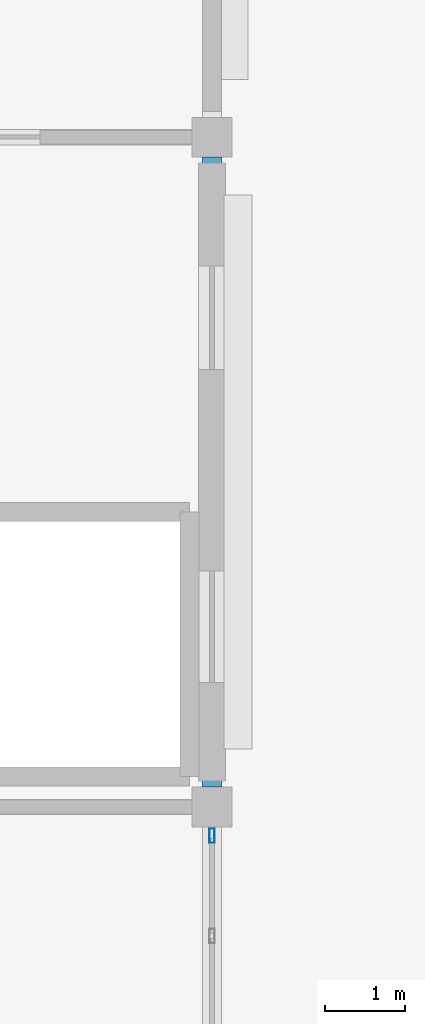
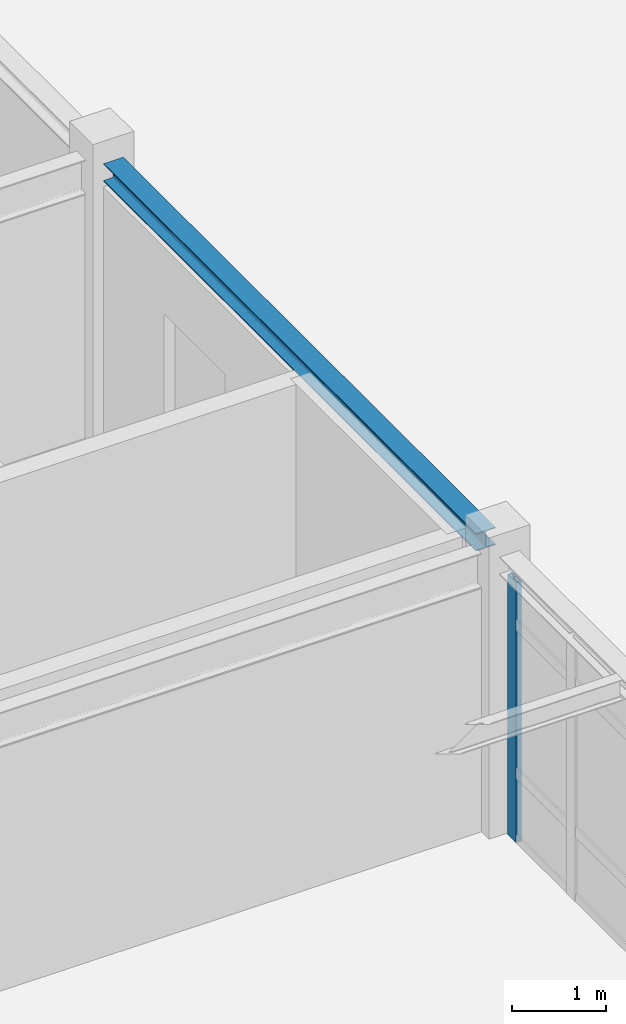
# One storey, part 12 of 70: 1 beam, 1 member, 1 element without a shape of its own.
"""IFC4 building model written with IfcOpenShell, lengths in metres."""

from ifc_helpers import new_model, si_unit, direction, frame, origin, origin_2d, place, context, subcontext, project, spatial, hollow_rectangle, i_section, extrude, material, layer, layer_set, material_profile, profile_set, type_object, element, aggregate, save


model = new_model("IFC4")

# Units and contexts
model_context = context("Model", 3, precision=1e-05, world=origin(), true_north=direction((0.0, 1.0)))
body_context = subcontext(model_context, "Body", "Model", "MODEL_VIEW")
ifc_project = project(units=[si_unit("LENGTHUNIT", "METRE"), si_unit("AREAUNIT", "SQUARE_METRE"), si_unit("VOLUMEUNIT", "CUBIC_METRE"), si_unit("PLANEANGLEUNIT", "RADIAN"), si_unit("MASSUNIT", "GRAM", prefix="KILO")], contexts=[model_context])

# Site, building, storey
site_placement = place(None, origin())
site = spatial("IfcSite", under=ifc_project, at=site_placement, CompositionType="ELEMENT")
building_placement = place(site_placement, origin())
building = spatial("IfcBuilding", under=site, at=building_placement, Name="Bramfleet General Hospital", CompositionType="ELEMENT")
storey_placement = place(building_placement, frame((0.0, 0.0, 22.5)))
storey = spatial("IfcBuildingStorey", under=building, at=storey_placement, Name="L05", CompositionType="ELEMENT", Elevation=22.5)

# Beam
ifc_material_1 = material(Name="Steel S355", Category="steel")
ifc_material_profile_1 = material_profile(ifc_material_1, i_section(OverallWidth=0.239990234375, OverallDepth=0.22998046875, WebThickness=0.007568359375, FlangeThickness=0.011962890625, FilletRadius=0.02099609375, at=origin_2d()), Name="HEA 240")
ifc_profile_set_1 = profile_set([ifc_material_profile_1], Name="Steel S355")
beam_type = type_object("IfcBeamType", Name="BM-HEA240", PredefinedType="SPANDREL", material=ifc_profile_set_1)
beam_placement = place(storey_placement, frame((151.199951171875, 8.64990234375, 3.4951171875), z_axis=(0.0, 1.0, 0.0), x_axis=(-1.0, 0.0, 0.0)))
element("IfcBeam", 1, at=beam_placement, inside=storey, type_object=beam_type, Name="L05 Grid Beam Y 18-01", PredefinedType="SPANDREL", context=body_context, shape_type="SweptSolid", body=[
    extrude(i_section(OverallWidth=0.239990234375, OverallDepth=0.22998046875, WebThickness=0.007568359375, FlangeThickness=0.011962890625, FilletRadius=0.02099609375, at=origin_2d()), origin(), (0.0, 0.0, 1.0), 7.900146484375),
])

# Curtain wall, member
ifc_material_2 = material(Name="Anodised aluminium and low-E triple glazing", Category="aluminium")
ifc_layer = layer(ifc_material_2, 0.179931640625, Name="CWT-CW-11")
ifc_layer_set = layer_set([ifc_layer], Name="Anodised aluminium and low-E triple glazing")
curtain_wall_type = type_object("IfcCurtainWallType", Name="CWT-CW-11", PredefinedType="USERDEFINED", material=ifc_layer_set)
curtain_wall_placement = place(storey_placement, origin())
curtain_wall = element("IfcCurtainWall", 2, at=curtain_wall_placement, inside=storey, type_object=curtain_wall_type, Name="L05 Curtain Wall 209", ObjectType="Stick curtain wall", PredefinedType="USERDEFINED")
ifc_material_3 = material(Name="Anodised aluminium EN AW-6060", Category="aluminium")
ifc_material_profile_2 = material_profile(ifc_material_3, hollow_rectangle(XDim=0.070068359375, YDim=0.179931640625, WallThickness=0.00390625, at=origin_2d()), Name="ALU 180x70x4.0")
ifc_profile_set_2 = profile_set([ifc_material_profile_2], Name="Anodised aluminium EN AW-6060")
member_type = type_object("IfcMemberType", Name="CWM-ALU180", PredefinedType="MULLION", material=ifc_profile_set_2)
member_placement = place(storey_placement, frame((151.199951171875, 8.0400390625, 0.0), z_axis=(0.0, 0.0, 1.0), x_axis=(1.0, 0.0, 0.0)))
member = element("IfcMember", 3, at=member_placement, type_object=member_type, Name="CW-11 mullion 1", PredefinedType="MULLION", context=body_context, shape_type="SweptSolid", body=[
    extrude(hollow_rectangle(XDim=0.070068359375, YDim=0.179931640625, WallThickness=0.00390625, at=origin_2d()), origin(), (0.0, 0.0, 1.0), 3.3701171875),
])
aggregate(curtain_wall, [member])

save(model, "model.ifc")
